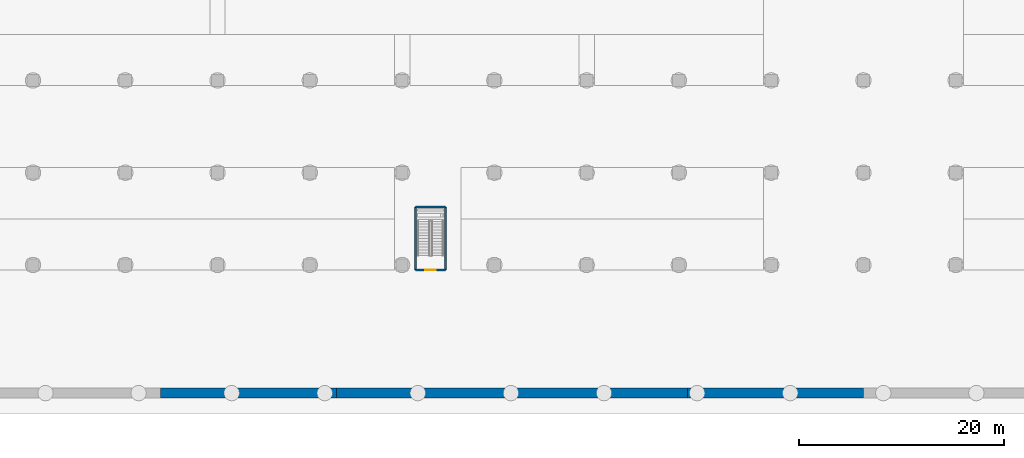
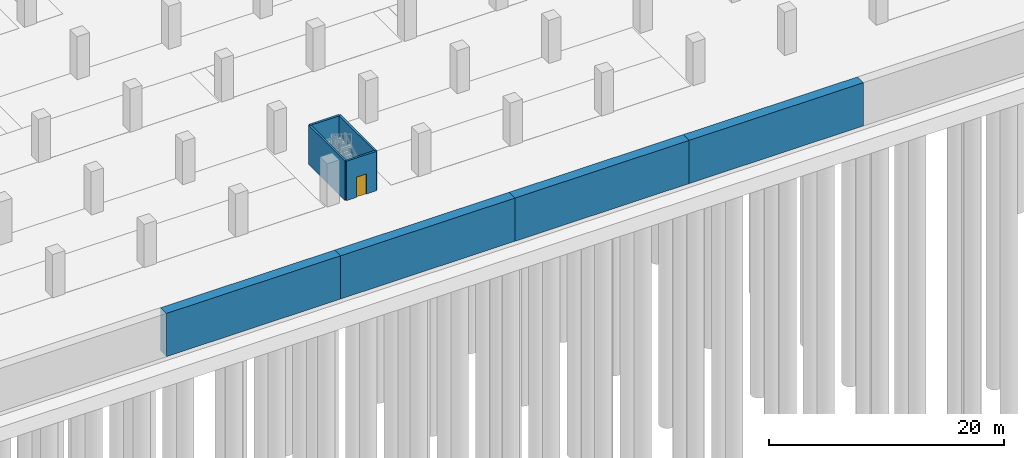
# One storey, part 13 of 39: 8 walls, 1 door, 1 opening.
"""IFC4 building model written with IfcOpenShell, lengths in metres."""

from ifc_helpers import new_model, si_unit, direction, frame, frame_2d, origin, place, context, subcontext, project, spatial, rectangle, extrude, material, layer, layer_set, type_object, element, fill, save


model = new_model("IFC4")

# Units and contexts
model_context = context("Model", 3, precision=1e-05, world=origin(), true_north=direction((0.0, 1.0)))
body_context = subcontext(model_context, "Body", "Model", "MODEL_VIEW")
ifc_project = project(units=[si_unit("LENGTHUNIT", "METRE"), si_unit("AREAUNIT", "SQUARE_METRE"), si_unit("VOLUMEUNIT", "CUBIC_METRE"), si_unit("PLANEANGLEUNIT", "RADIAN"), si_unit("MASSUNIT", "GRAM", prefix="KILO")], contexts=[model_context])

# Site, building, storey
site_placement = place(None, origin())
site = spatial("IfcSite", under=ifc_project, at=site_placement, CompositionType="ELEMENT")
building_placement = place(site_placement, origin())
building = spatial("IfcBuilding", under=site, at=building_placement, Name="Ogive Gate Towers", CompositionType="ELEMENT")
storey_placement = place(building_placement, frame((0.0, 0.0, -9.0)))
storey = spatial("IfcBuildingStorey", under=building, at=storey_placement, Name="B2", CompositionType="ELEMENT", Elevation=-9.0)

# Wall, opening, door
ifc_material_1 = material(Name="Reinforced concrete C32/40", Category="concrete")
ifc_layer_1 = layer(ifc_material_1, 0.199951171875)
ifc_layer_set_1 = layer_set([ifc_layer_1], Name="Car park stair shaft wall 200")
wall_type_1 = type_object("IfcWallType", Name="Car park stair shaft wall 200", PredefinedType="SOLIDWALL", material=ifc_layer_set_1)
wall_1_placement = place(storey_placement, frame((-40.75, -63.5, 0.0), z_axis=(0.0, 0.0, 1.0), x_axis=(-1.0, 0.0, 0.0)))
wall_1 = element("IfcWall", 1, at=wall_1_placement, inside=storey, type_object=wall_type_1, Name="CS6 stair shaft wall B2 1", PredefinedType="SOLIDWALL", context=body_context, shape_type="SweptSolid", body=[
    extrude(rectangle(XDim=2.949951171875, YDim=0.199951171875, at=frame_2d((1.47509765625, 0.0))), origin(), (0.0, 0.0, 1.0), 4.10009765625),
])
opening_placement = place(wall_1_placement, frame((0.97509765625, 0.0, 0.0)))
opening = element("IfcOpeningElement", 2, at=opening_placement, cuts=wall_1, Name="Opening CPD36-B2", PredefinedType="OPENING", context=body_context, shape_type="SweptSolid", body=[
    extrude(rectangle(XDim=1.0, YDim=2.10009765625, at=frame_2d((0.5, 1.050048828125))), frame((0.0, 0.10986328125, 0.0), z_axis=(0.0, -1.0, 0.0), x_axis=(1.0, 0.0, 0.0)), (0.0, 0.0, 1.0), 0.219970703125),
])
ifc_material_2 = material(Name="Painted steel door", Category="steel")
door_type = type_object("IfcDoorType", Name="Stair house door 1000 x 2100", OperationType="SINGLE_SWING_LEFT", PredefinedType="DOOR", material=ifc_material_2)
door_placement = place(opening_placement, origin())
door = element("IfcDoor", 3, at=door_placement, inside=storey, type_object=door_type, Name="Door CS6 stair B2", OperationType="SINGLE_SWING_LEFT", OverallHeight=2.10009765625, OverallWidth=1.0, PredefinedType="DOOR", context=body_context, shape_type="SweptSolid", body=[
    extrude(rectangle(XDim=1.0, YDim=2.10009765625, at=frame_2d((0.5, 1.050048828125))), frame((0.0, 0.02490234375, 0.0), z_axis=(0.0, -1.0, 0.0), x_axis=(1.0, 0.0, 0.0)), (0.0, 0.0, 1.0), 0.050048828125),
])
fill(opening, door)

# Walls
wall_2_placement = place(storey_placement, frame((-43.699951171875, -63.5, 0.0), z_axis=(0.0, 0.0, 1.0), x_axis=(0.0, 1.0, 0.0)))
element("IfcWall", 4, at=wall_2_placement, inside=storey, type_object=wall_type_1, Name="CS6 stair shaft wall B2 2", PredefinedType="SOLIDWALL", context=body_context, shape_type="SweptSolid", body=[
    extrude(rectangle(XDim=6.159912109375, YDim=0.199951171875, at=frame_2d((3.080078125, 0.0))), origin(), (0.0, 0.0, 1.0), 4.10009765625),
])
wall_3_placement = place(storey_placement, frame((-43.699951171875, -57.340087890625, 0.0), z_axis=(0.0, 0.0, 1.0), x_axis=(1.0, 0.0, 0.0)))
element("IfcWall", 5, at=wall_3_placement, inside=storey, type_object=wall_type_1, Name="CS6 stair shaft wall B2 3", PredefinedType="SOLIDWALL", context=body_context, shape_type="SweptSolid", body=[
    extrude(rectangle(XDim=2.949951171875, YDim=0.199951171875, at=frame_2d((1.47509765625, 0.0))), origin(), (0.0, 0.0, 1.0), 4.10009765625),
])
wall_4_placement = place(storey_placement, frame((-40.75, -57.340087890625, 0.0), z_axis=(0.0, 0.0, 1.0), x_axis=(0.0, -1.0, 0.0)))
element("IfcWall", 6, at=wall_4_placement, inside=storey, type_object=wall_type_1, Name="CS6 stair shaft wall B2 4", PredefinedType="SOLIDWALL", context=body_context, shape_type="SweptSolid", body=[
    extrude(rectangle(XDim=6.159912109375, YDim=0.199951171875, at=frame_2d((3.080078125, 0.0))), origin(), (0.0, 0.0, 1.0), 4.10009765625),
])
ifc_material_3 = material(Name="Concrete C40/50", Category="concrete")
ifc_layer_2 = layer(ifc_material_3, 1.0)
ifc_layer_set_2 = layer_set([ifc_layer_2], Name="Retaining wall 1000")
wall_type_2 = type_object("IfcWallType", Name="Retaining wall 1000", PredefinedType="SOLIDWALL", material=ifc_layer_set_2)
for number, where, z_axis, x_axis, name in (
    (7, (0.0, -75.5, 0.0), (0.0, 0.0, 1.0), (-1.0, 0.0, 0.0), "BS/B2/SWL008"),
    (8, (-17.139404296875, -75.5, 0.0), (0.0, 0.0, 1.0), (-1.0, 0.0, 0.0), "BS/B2/SWL009"),
):
    element("IfcWall", number, at=place(storey_placement, frame(where, z_axis=z_axis, x_axis=x_axis)), inside=storey, type_object=wall_type_2, Name=name, PredefinedType="SOLIDWALL", context=body_context, shape_type="SweptSolid", body=[
        extrude(rectangle(XDim=17.139404296875, YDim=1.0, at=frame_2d((8.56982421875, 0.0))), origin(), (0.0, 0.0, 1.0), 4.5),
    ])
wall_5_placement = place(storey_placement, frame((-34.27880859375, -75.5, 0.0), z_axis=(0.0, 0.0, 1.0), x_axis=(-1.0, 0.0, 0.0)))
element("IfcWall", 9, at=wall_5_placement, inside=storey, type_object=wall_type_2, Name="BS/B2/SWL010", PredefinedType="SOLIDWALL", context=body_context, shape_type="SweptSolid", body=[
    extrude(rectangle(XDim=17.13916015625, YDim=1.0, at=frame_2d((8.569580078125, 0.0))), origin(), (0.0, 0.0, 1.0), 4.5),
])
wall_6_placement = place(storey_placement, frame((-51.41796875, -75.5, 0.0), z_axis=(0.0, 0.0, 1.0), x_axis=(-1.0, 0.0, 0.0)))
element("IfcWall", 10, at=wall_6_placement, inside=storey, type_object=wall_type_2, Name="BS/B2/SWL011", PredefinedType="SOLIDWALL", context=body_context, shape_type="SweptSolid", body=[
    extrude(rectangle(XDim=17.139404296875, YDim=1.0, at=frame_2d((8.56982421875, 0.0))), origin(), (0.0, 0.0, 1.0), 4.5),
])

save(model, "model.ifc")
